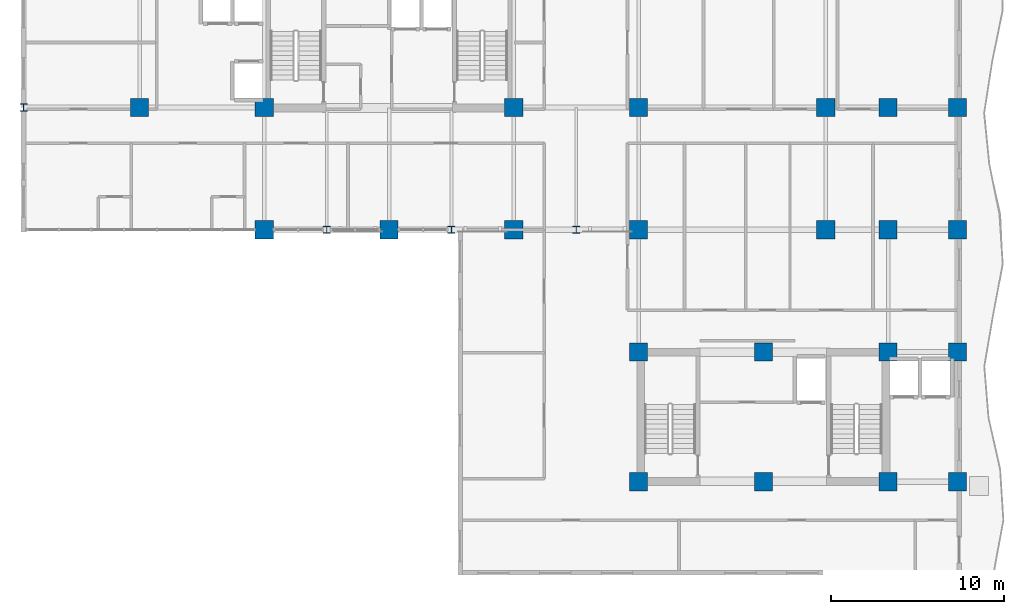
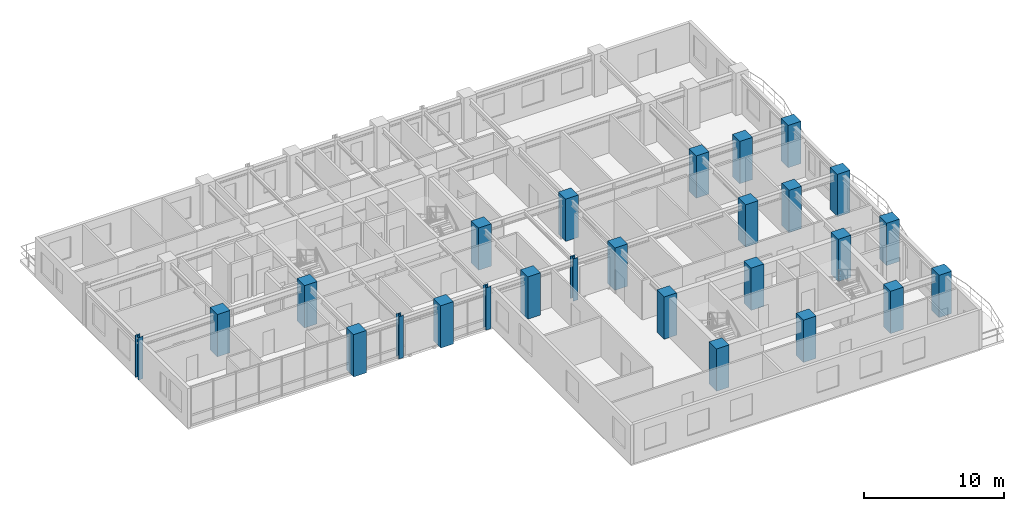
# One storey, part 1 of 17: 26 columns.
"""IFC4 building model written with IfcOpenShell, lengths in metres."""

from ifc_helpers import new_model, si_unit, direction, frame, origin, origin_2d, place, context, subcontext, project, spatial, rectangle, i_section, extrude, source, transform, mapped, material, material_profile, profile_set, type_object, element, save


model = new_model("IFC4")

# Units and contexts
model_context = context("Model", 3, precision=1e-05, world=origin(), true_north=direction((0.0, 1.0)))
body_context = subcontext(model_context, "Body", "Model", "MODEL_VIEW")
ifc_project = project(units=[si_unit("LENGTHUNIT", "METRE"), si_unit("AREAUNIT", "SQUARE_METRE"), si_unit("VOLUMEUNIT", "CUBIC_METRE"), si_unit("PLANEANGLEUNIT", "RADIAN"), si_unit("MASSUNIT", "GRAM", prefix="KILO")], contexts=[model_context])

# Site, building, storey
site_placement = place(None, origin())
site = spatial("IfcSite", under=ifc_project, at=site_placement, CompositionType="ELEMENT")
building_placement = place(site_placement, origin())
building = spatial("IfcBuilding", under=site, at=building_placement, Name="Kaliganga Portal Commons", CompositionType="ELEMENT")
storey_placement = place(building_placement, frame((0.0, 0.0, 143.89990234375)))
storey = spatial("IfcBuildingStorey", under=building, at=storey_placement, Name="L36", CompositionType="ELEMENT", Elevation=143.89990234375)

# Columns
ifc_material_1 = material(Name="Concrete C60/75", Category="concrete")
ifc_material_profile_1 = material_profile(ifc_material_1, rectangle(XDim=1.050048828125, YDim=1.050048828125, at=origin_2d()), Name="RC 1050x1050")
ifc_profile_set_1 = profile_set([ifc_material_profile_1], Name="Concrete C60/75")
column_type_1 = type_object("IfcColumnType", Name="COL-MEGA-Z3", PredefinedType="COLUMN", material=ifc_profile_set_1)
shared_shape_1 = source(origin(), body_context, "Body", "SweptSolid", [
    extrude(rectangle(XDim=1.050048828125, YDim=1.050048828125, at=origin_2d()), origin(), (0.0, 0.0, 1.0), 3.7001953125),
])
for number, where, z_axis, x_axis, name in (
    (1, (7.199951171875, 28.64990234375, 0.0), (0.0, 0.0, 1.0), (1.0, 0.0, 0.0), "Column MC-04 L36"),
    (2, (14.39990234375, 21.60009765625, 0.0), (0.0, 0.0, 1.0), (1.0, 0.0, 0.0), "Column MC-04 L36"),
    (3, (14.39990234375, 28.64990234375, 0.0), (0.0, 0.0, 1.0), (1.0, 0.0, 0.0), "Column MC-04 L36"),
    (4, (21.60009765625, 21.60009765625, 0.0), (0.0, 0.0, 1.0), (1.0, 0.0, 0.0), "Column MC-04 L36"),
    (5, (28.800048828125, 21.60009765625, 0.0), (0.0, 0.0, 1.0), (1.0, 0.0, 0.0), "Column MC-04 L36"),
    (6, (28.800048828125, 28.64990234375, 0.0), (0.0, 0.0, 1.0), (1.0, 0.0, 0.0), "Column MC-04 L36"),
    (7, (36.0, 21.60009765625, 0.0), (0.0, 0.0, 1.0), (1.0, 0.0, 0.0), "Column MC-04 L36"),
    (8, (36.0, 28.64990234375, 0.0), (0.0, 0.0, 1.0), (1.0, 0.0, 0.0), "Column MC-04 L36"),
    (9, (46.800048828125, 21.60009765625, 0.0), (0.0, 0.0, 1.0), (1.0, 0.0, 0.0), "Column MC-04 L36"),
    (10, (46.800048828125, 28.64990234375, 0.0), (0.0, 0.0, 1.0), (1.0, 0.0, 0.0), "Column MC-04 L36"),
    (11, (36.0, 7.050048828125, 0.0), (0.0, 0.0, 1.0), (1.0, 0.0, 0.0), "Column MC-04 L36"),
    (12, (36.0, 14.550048828125, 0.0), (0.0, 0.0, 1.0), (1.0, 0.0, 0.0), "Column MC-04 L36"),
    (13, (43.199951171875, 7.050048828125, 0.0), (0.0, 0.0, 1.0), (1.0, 0.0, 0.0), "Column MC-04 L36"),
    (14, (43.199951171875, 14.550048828125, 0.0), (0.0, 0.0, 1.0), (1.0, 0.0, 0.0), "Column MC-04 L36"),
    (15, (50.39990234375, 7.050048828125, 0.0), (0.0, 0.0, 1.0), (1.0, 0.0, 0.0), "Column MC-04 L36"),
    (16, (50.39990234375, 14.550048828125, 0.0), (0.0, 0.0, 1.0), (1.0, 0.0, 0.0), "Column MC-04 L36"),
    (17, (50.39990234375, 21.60009765625, 0.0), (0.0, 0.0, 1.0), (1.0, 0.0, 0.0), "Column MC-04 L36"),
    (18, (50.39990234375, 28.64990234375, 0.0), (0.0, 0.0, 1.0), (1.0, 0.0, 0.0), "Column MC-04 L36"),
    (19, (54.39990234375, 7.050048828125, 0.0), (0.0, 0.0, 1.0), (1.0, 0.0, 0.0), "Column MC-04 L36"),
    (20, (54.39990234375, 14.550048828125, 0.0), (0.0, 0.0, 1.0), (1.0, 0.0, 0.0), "Column MC-04 L36"),
    (21, (54.39990234375, 21.60009765625, 0.0), (0.0, 0.0, 1.0), (1.0, 0.0, 0.0), "Column MC-04 L36"),
    (22, (54.39990234375, 28.64990234375, 0.0), (0.0, 0.0, 1.0), (1.0, 0.0, 0.0), "Column MC-04 L36"),
):
    element("IfcColumn", number, at=place(storey_placement, frame(where, z_axis=z_axis, x_axis=x_axis)), inside=storey, type_object=column_type_1, Name=name, PredefinedType="COLUMN", context=body_context, shape_type="MappedRepresentation", body=[
        mapped(shared_shape_1, transform((0.0, 0.0, 0.0), x_axis=(1.0, 0.0, 0.0), y_axis=(0.0, 1.0, 0.0), z_axis=(0.0, 0.0, 1.0), scale=1.0)),
    ])
ifc_material_2 = material(Name="Structural steel S460M", Category="steel")
ifc_material_profile_2 = material_profile(ifc_material_2, i_section(OverallWidth=0.404052734375, OverallDepth=0.4140625, WebThickness=0.0205078125, FlangeThickness=0.028076171875, FilletRadius=0.014892578125, at=origin_2d()), Name="HD 400x347")
ifc_profile_set_2 = profile_set([ifc_material_profile_2], Name="Structural steel S460M wide-flange")
column_type_2 = type_object("IfcColumnType", Name="COL-TUBE-B3", PredefinedType="COLUMN", material=ifc_profile_set_2)
shared_shape_2 = source(origin(), body_context, "Body", "SweptSolid", [
    extrude(i_section(OverallWidth=0.404052734375, OverallDepth=0.4140625, WebThickness=0.0205078125, FlangeThickness=0.028076171875, FilletRadius=0.014892578125, at=origin_2d()), origin(), (0.0, 0.0, 1.0), 3.7001953125),
])
for number, where, z_axis, x_axis, name in (
    (23, (0.5, 28.64990234375, 0.0), (0.0, 0.0, 1.0), (1.0, 0.0, 0.0), "Column TC-03 L36"),
    (24, (18.0, 21.60009765625, 0.0), (0.0, 0.0, 1.0), (1.0, 0.0, 0.0), "Column TC-03 L36"),
    (25, (25.199951171875, 21.60009765625, 0.0), (0.0, 0.0, 1.0), (1.0, 0.0, 0.0), "Column TC-03 L36"),
    (26, (32.39990234375, 21.60009765625, 0.0), (0.0, 0.0, 1.0), (1.0, 0.0, 0.0), "Column TC-03 L36"),
):
    element("IfcColumn", number, at=place(storey_placement, frame(where, z_axis=z_axis, x_axis=x_axis)), inside=storey, type_object=column_type_2, Name=name, PredefinedType="COLUMN", context=body_context, shape_type="MappedRepresentation", body=[
        mapped(shared_shape_2, transform((0.0, 0.0, 0.0), x_axis=(1.0, 0.0, 0.0), y_axis=(0.0, 1.0, 0.0), z_axis=(0.0, 0.0, 1.0), scale=1.0)),
    ])

save(model, "model.ifc")
